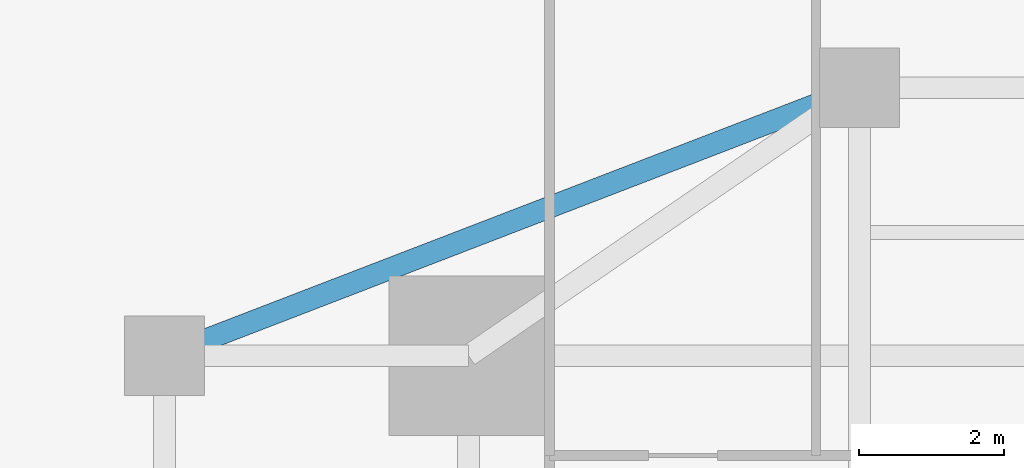
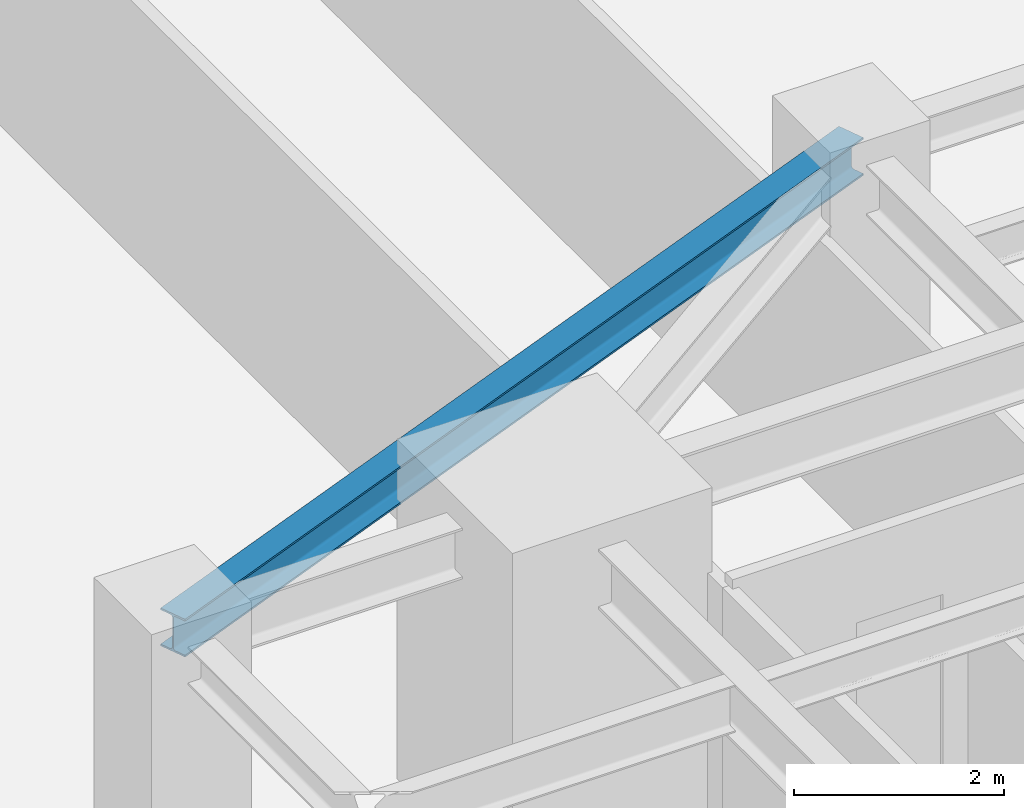
# One storey, part 18 of 30: 1 beam.
"""IFC4 building model written with IfcOpenShell, lengths in metres."""

import ifcopenshell
import ifcopenshell.guid

model = None  # the IFC model being written
_history = None  # IfcOwnerHistory: only IFC2X3 demands one
_inside = {}  # id of a spatial element -> (the spatial element, [elements in it])
_under = {}  # id of a project, library or spatial element -> (it, [spatial elements below it])
_declared = {}  # id of a project -> (the project, [libraries it declares])
_typed = {}  # id of a type object -> (the type object, [elements of that type])
_made_of = {}  # id of a material, layer set ... -> (it, [elements and type objects made of it])


def new_model(schema):
    """Start an empty IFC model of exactly this schema.

    Asked for "IFC4X3", IfcOpenShell would pick the latest addendum, in which some entities
    have other attributes; the version numbers below select the first issue.
    IFC2X3 requires an IfcOwnerHistory on every rooted entity: one is made here for all.
    """
    global model, _history
    if schema == "IFC4X3":
        model = ifcopenshell.file(schema_version=(4, 3, 0, 0))
    else:
        model = ifcopenshell.file(schema=schema)
    _inside.clear()
    _under.clear()
    _declared.clear()
    _typed.clear()
    _made_of.clear()
    _history = None
    if model.schema == "IFC2X3":
        org = make("IfcOrganization", Name="unknown")
        user = make(
            "IfcPersonAndOrganization",
            ThePerson=make("IfcPerson", FamilyName="unknown"),
            TheOrganization=org,
        )
        app = make(
            "IfcApplication",
            ApplicationDeveloper=org,
            Version="unknown",
            ApplicationFullName="unknown",
            ApplicationIdentifier="unknown",
        )
        _history = make(
            "IfcOwnerHistory",
            OwningUser=user,
            OwningApplication=app,
            ChangeAction="ADDED",
            CreationDate=0,
        )
    return model


def make(cls, **values):
    """One entity of the class cls with the attributes given. An attribute that is None is left unset."""
    return model.create_entity(
        cls, **{name: value for name, value in values.items() if value is not None}
    )


def rooted(cls, **values):
    """An entity with a GlobalId (a new one), such as an element, a storey or a relation."""
    return make(cls, GlobalId=ifcopenshell.guid.new(), OwnerHistory=_history, **values)


def si_unit(unit_type, name, prefix=None):
    """IfcSIUnit, for example si_unit("LENGTHUNIT", "METRE", prefix="MILLI")."""
    return make("IfcSIUnit", UnitType=unit_type, Prefix=prefix, Name=name)


def assignment(units):
    """IfcUnitAssignment: the units of a project."""
    return None if units is None else make("IfcUnitAssignment", Units=units)


def point(xyz):
    """IfcCartesianPoint."""
    return None if xyz is None else make("IfcCartesianPoint", Coordinates=xyz)


def direction(xyz):
    """IfcDirection."""
    return None if xyz is None else make("IfcDirection", DirectionRatios=xyz)


def frame(location, z_axis=None, x_axis=None):
    """IfcAxis2Placement3D, a coordinate frame: its origin and axes. An axis left out is left unset."""
    return make(
        "IfcAxis2Placement3D",
        Location=point(location),
        Axis=direction(z_axis),
        RefDirection=direction(x_axis),
    )


def frame_2d(location, x_axis=None):
    """IfcAxis2Placement2D, a coordinate frame in the plane: its origin and x axis."""
    return make(
        "IfcAxis2Placement2D", Location=point(location), RefDirection=direction(x_axis)
    )


def origin():
    """The frame at (0, 0, 0) with its axes left unset."""
    return frame((0.0, 0.0, 0.0))


def origin_2d():
    """The frame at (0, 0) in the plane with its x axis left unset."""
    return frame_2d((0.0, 0.0))


def place(relative_to, where):
    """IfcLocalPlacement: puts the frame where relative to a parent placement (None: the world)."""
    return make(
        "IfcLocalPlacement", PlacementRelTo=relative_to, RelativePlacement=where
    )


def context(
    kind, dimensions, precision=None, world=None, true_north=None, identifier=None
):
    """IfcGeometricRepresentationContext, for example the 3D "Model" context."""
    return make(
        "IfcGeometricRepresentationContext",
        ContextIdentifier=identifier,
        ContextType=kind,
        CoordinateSpaceDimension=dimensions,
        Precision=precision,
        WorldCoordinateSystem=world,
        TrueNorth=true_north,
    )


def subcontext(parent, identifier, kind, view, scale=None):
    """IfcGeometricRepresentationSubContext, for example "Body" below "Model"."""
    return make(
        "IfcGeometricRepresentationSubContext",
        ContextIdentifier=identifier,
        ContextType=kind,
        ParentContext=parent,
        TargetScale=scale,
        TargetView=view,
    )


def project(units=None, contexts=None):
    """IfcProject with its units and contexts."""
    return rooted(
        "IfcProject",
        Name="project",
        RepresentationContexts=contexts,
        UnitsInContext=assignment(units),
    )


def spatial(cls, under=None, at=None, **own):
    """A site, building, storey or space (cls), placed at a placement, below another one or the project."""
    s = rooted(cls, ObjectPlacement=at, **own)
    if under is not None:
        _under.setdefault(under.id(), (under, []))[1].append(s)
    return s


def profile(cls, at=None, kind="AREA", **sizes):
    """A parametric profile (cls). Its sizes go by their IFC names, for example OverallWidth=200.0."""
    return make(cls, ProfileType=kind, Position=at, **sizes)


def i_section(**sizes):
    """IfcIShapeProfileDef."""
    return profile("IfcIShapeProfileDef", **sizes)


def extrude(swept, where, along, depth):
    """IfcExtrudedAreaSolid: the profile swept, set in the frame where, extruded along a direction by depth."""
    return make(
        "IfcExtrudedAreaSolid",
        SweptArea=swept,
        Position=where,
        ExtrudedDirection=direction(along),
        Depth=depth,
    )


def shape(context_of_items, identifier, shape_type, items):
    """IfcShapeRepresentation: the items that make up one representation, for example the "Body"."""
    return make(
        "IfcShapeRepresentation",
        ContextOfItems=context_of_items,
        RepresentationIdentifier=identifier,
        RepresentationType=shape_type,
        Items=items,
    )


def source(mapping_origin, context_of_items, identifier, shape_type, items):
    """IfcRepresentationMap: a shape defined once, which mapped items show again and again."""
    return make(
        "IfcRepresentationMap",
        MappingOrigin=mapping_origin,
        MappedRepresentation=shape(context_of_items, identifier, shape_type, items),
    )


def transform(
    local_origin,
    x_axis=None,
    y_axis=None,
    z_axis=None,
    scale=None,
    scale2=None,
    scale3=None,
    uniform=True,
):
    """IfcCartesianTransformationOperator3D, or its non-uniform kind. x_axis, y_axis, z_axis: its Axis1, 2, 3."""
    if uniform:
        return make(
            "IfcCartesianTransformationOperator3D",
            Axis1=direction(x_axis),
            Axis2=direction(y_axis),
            LocalOrigin=point(local_origin),
            Scale=scale,
            Axis3=direction(z_axis),
        )
    return make(
        "IfcCartesianTransformationOperator3DnonUniform",
        Axis1=direction(x_axis),
        Axis2=direction(y_axis),
        LocalOrigin=point(local_origin),
        Scale=scale,
        Axis3=direction(z_axis),
        Scale2=scale2,
        Scale3=scale3,
    )


def mapped(mapping_source, mapping_target):
    """IfcMappedItem: shows the shape of a source again, moved by a transform."""
    return make(
        "IfcMappedItem", MappingSource=mapping_source, MappingTarget=mapping_target
    )


def material(Name=None, Category=None):
    """IfcMaterial."""
    return make("IfcMaterial", Name=Name, Category=Category)


def material_profile(
    of_material, cross_section, Name=None, Category=None, Priority=None
):
    """IfcMaterialProfile: a cross section and its material."""
    return make(
        "IfcMaterialProfile",
        Name=Name,
        Material=of_material,
        Profile=cross_section,
        Priority=Priority,
        Category=Category,
    )


def profile_set(profiles, Name=None, composite=None):
    """IfcMaterialProfileSet."""
    return make(
        "IfcMaterialProfileSet",
        Name=Name,
        MaterialProfiles=profiles,
        CompositeProfile=composite,
    )


def made_of(thing, what):
    """Note that an element or type object is made of a material, layer set ...; save() writes the relation."""
    if what is not None:
        _made_of.setdefault(what.id(), (what, []))[1].append(thing)
    return thing


def type_object(cls, material=None, **own):
    """A type object (cls), such as IfcWallType, which elements share."""
    return made_of(rooted(cls, **own), material)


def type_shapes(of_type, sources):
    """Give a type object the sources (RepresentationMaps) that its elements show as mapped items."""
    of_type.RepresentationMaps = sources


def element(
    cls,
    number,
    at=None,
    inside=None,
    cuts=None,
    type_object=None,
    material=None,
    context=None,
    identifier="Body",
    shape_type=None,
    held_by="IfcProductDefinitionShape",
    body=None,
    shapes=None,
    **own,
):
    """One element of the class cls, such as IfcWall. Its Tag is "e" and its number.

    at: its placement. inside: the storey or other place that contains it. cuts: it is an
    opening in that element (IfcRelVoidsElement). A single representation is given by context,
    identifier, shape_type and body (its items); several are given by shapes. held_by: the class
    of the entity that holds the representations. save() writes the other relations.
    """
    e = rooted(cls, Tag="e%d" % number, ObjectPlacement=at, **own)
    if body is not None:
        shapes = [shape(context, identifier, shape_type, body)]
    if shapes is not None:
        e.Representation = make(held_by, Representations=shapes)
    if inside is not None:
        _inside.setdefault(inside.id(), (inside, []))[1].append(e)
    if cuts is not None:
        rooted(
            "IfcRelVoidsElement", RelatingBuildingElement=cuts, RelatedOpeningElement=e
        )
    if type_object is not None:
        _typed.setdefault(type_object.id(), (type_object, []))[1].append(e)
    return made_of(e, material)


def aggregate(whole, parts):
    """IfcRelAggregates: a whole, such as a stair, and the parts it consists of."""
    return rooted("IfcRelAggregates", RelatingObject=whole, RelatedObjects=parts)


def save(model, path):
    """Write the relations noted so far, then the file.

    IfcRelAggregates (storeys below a building ...), IfcRelContainedInSpatialStructure (elements
    in a storey), IfcRelDefinesByType, IfcRelAssociatesMaterial and IfcRelDeclares: one each for
    every whole, place, type object, material and project.
    """
    for whole, parts in _under.values():
        aggregate(whole, parts)
    for where, things in _inside.values():
        rooted(
            "IfcRelContainedInSpatialStructure",
            RelatedElements=things,
            RelatingStructure=where,
        )
    for kind, things in _typed.values():
        rooted("IfcRelDefinesByType", RelatedObjects=things, RelatingType=kind)
    for what, things in _made_of.values():
        rooted("IfcRelAssociatesMaterial", RelatedObjects=things, RelatingMaterial=what)
    for by, libraries in _declared.values():
        rooted("IfcRelDeclares", RelatingContext=by, RelatedDefinitions=libraries)
    model.write(path)


model = new_model("IFC4")

# Units and contexts
model_context = context("Model", 3, precision=1e-05, world=origin(), true_north=direction((0.0, 1.0)))
body_context = subcontext(model_context, "Body", "Model", "MODEL_VIEW")
ifc_project = project(units=[si_unit("LENGTHUNIT", "METRE"), si_unit("AREAUNIT", "SQUARE_METRE"), si_unit("VOLUMEUNIT", "CUBIC_METRE"), si_unit("PLANEANGLEUNIT", "RADIAN"), si_unit("MASSUNIT", "GRAM", prefix="KILO")], contexts=[model_context])

# Site, building, storey
site_placement = place(None, origin())
site = spatial("IfcSite", under=ifc_project, at=site_placement, CompositionType="ELEMENT")
building_placement = place(site_placement, origin())
building = spatial("IfcBuilding", under=site, at=building_placement, Name="Krantzveldt Concourse Tower", CompositionType="ELEMENT")
storey_placement = place(building_placement, frame((0.0, 0.0, 36.85009765625)))
storey = spatial("IfcBuildingStorey", under=building, at=storey_placement, Name="L08", CompositionType="ELEMENT", Elevation=36.85009765625)

# Beam
ifc_material = material(Name="Steel S355JR", Category="steel")
ifc_material_profile = material_profile(ifc_material, i_section(OverallWidth=0.300048828125, OverallDepth=0.43994140625, WebThickness=0.011474609375, FlangeThickness=0.02099609375, FilletRadius=0.027099609375, at=origin_2d()), Name="Steel S355JR", Category="steel")
ifc_profile_set = profile_set([ifc_material_profile], Name="Steel S355JR - HEA 450")
beam_type = type_object("IfcBeamType", Name="BM-SP-HEA450", PredefinedType="SPANDREL", material=ifc_profile_set)
shared_shape = source(origin(), body_context, "Body", "SweptSolid", [
    extrude(i_section(OverallWidth=0.300048828125, OverallDepth=0.43994140625, WebThickness=0.011474609375, FlangeThickness=0.02099609375, FilletRadius=0.027099609375, at=origin_2d()), origin(), (0.0, 0.0, 1.0), 10.288330078125),
])
type_shapes(beam_type, [shared_shape])
beam_placement = place(storey_placement, frame((21.0, 37.5, 3.449951171875), z_axis=(0.933097690408, 0.359622997257, 0.0), x_axis=(-0.359622997257, 0.933097690408, 0.0)))
element("IfcBeam", 1, at=beam_placement, inside=storey, type_object=beam_type, Name="L08 Tower Girder SP-R03", PredefinedType="SPANDREL", context=body_context, shape_type="MappedRepresentation", body=[
    mapped(shared_shape, transform((0.0, 0.0, 0.0), x_axis=(1.0, 0.0, 0.0), y_axis=(0.0, 1.0, 0.0), z_axis=(0.0, 0.0, 1.0), scale=1.0)),
])

save(model, "model.ifc")
